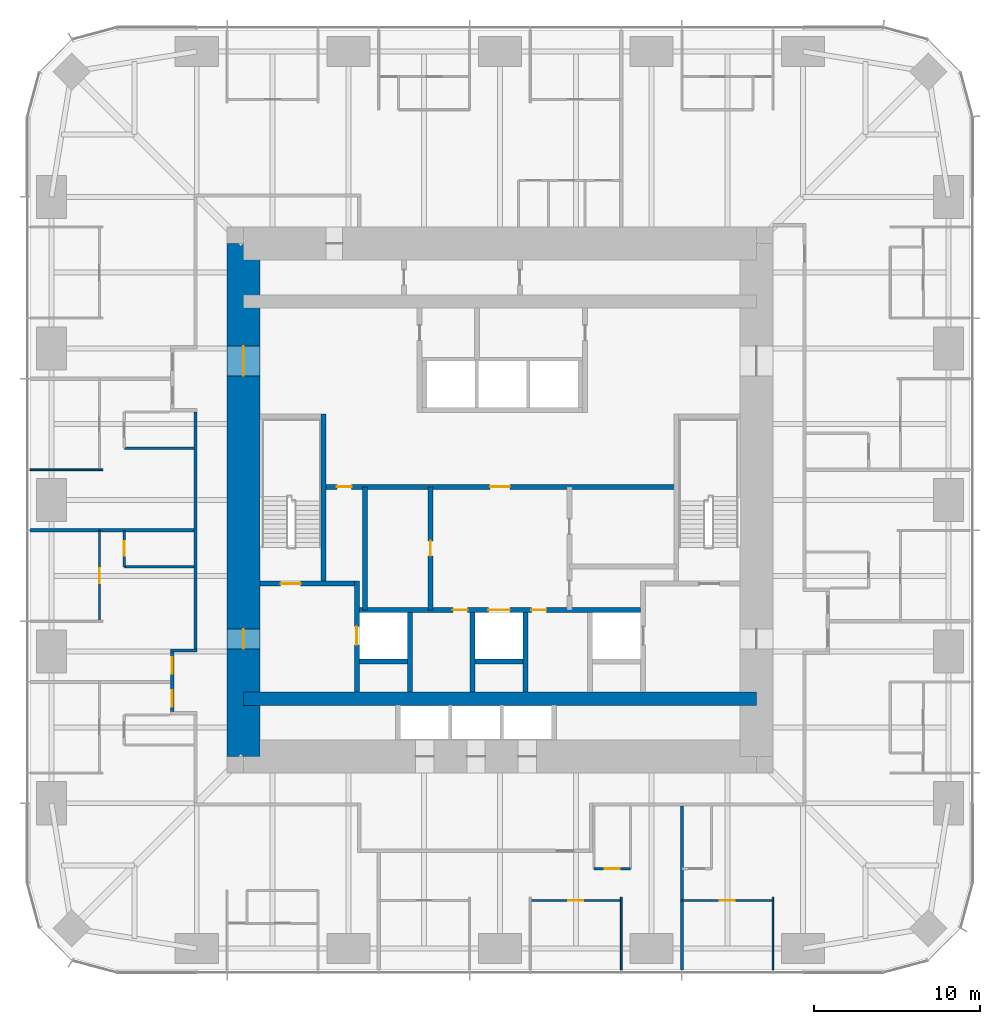
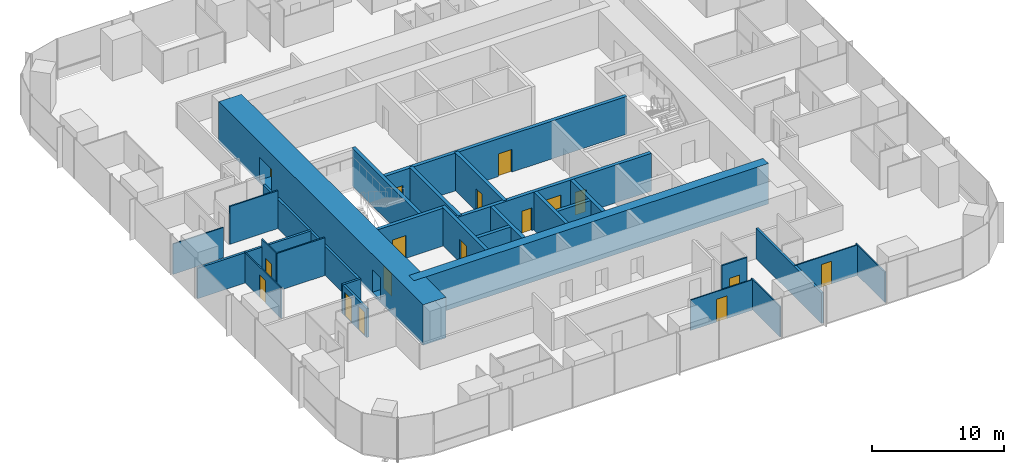
# One storey, part 9 of 13: 29 walls, 17 doors, 17 openings.
"""IFC4 building model written with IfcOpenShell, lengths in metres."""

from ifc_helpers import new_model, si_unit, direction, frame, frame_2d, origin, place, context, subcontext, project, spatial, rectangle, extrude, material, layer, layer_set, type_object, element, fill, save


model = new_model("IFC4")

# Units and contexts
model_context = context("Model", 3, precision=1e-05, world=origin(), true_north=direction((0.0, 1.0)))
body_context = subcontext(model_context, "Body", "Model", "MODEL_VIEW")
ifc_project = project(units=[si_unit("LENGTHUNIT", "METRE"), si_unit("AREAUNIT", "SQUARE_METRE"), si_unit("VOLUMEUNIT", "CUBIC_METRE"), si_unit("PLANEANGLEUNIT", "RADIAN"), si_unit("MASSUNIT", "GRAM", prefix="KILO")], contexts=[model_context])

# Site, building, storey
site_placement = place(None, origin())
site = spatial("IfcSite", under=ifc_project, at=site_placement, CompositionType="ELEMENT")
building_placement = place(site_placement, origin())
building = spatial("IfcBuilding", under=site, at=building_placement, Name="Khuree Lantern Residences", CompositionType="ELEMENT")
storey_placement = place(building_placement, frame((0.0, 0.0, 159.75)))
storey = spatial("IfcBuildingStorey", under=building, at=storey_placement, Name="L40", CompositionType="ELEMENT", Elevation=159.75)

# Wall
ifc_material_1 = material(Name="Moisture-resistant gypsum board on steel studs", Category="steel")
ifc_layer_1 = layer(ifc_material_1, 0.125)
ifc_layer_set_1 = layer_set([ifc_layer_1], Name="BATHROOM WALL BTW125")
wall_type_1 = type_object("IfcWallType", Name="BATHROOM WALL BTW125", PredefinedType="PARTITIONING", material=ifc_layer_set_1)
wall_1_placement = place(storey_placement, frame((-18.5, 3.1279296875, 0.0), z_axis=(0.0, 0.0, 1.0), x_axis=(-1.0, 0.0, 0.0)))
element("IfcWall", 1, at=wall_1_placement, inside=storey, type_object=wall_type_1, Name="L40 BATHROOM WALL 04", PredefinedType="PARTITIONING", context=body_context, shape_type="SweptSolid", body=[
    extrude(rectangle(XDim=4.199951171875, YDim=0.125, at=frame_2d((2.10009765625, 0.0))), origin(), (0.0, 0.0, 1.0), 3.5),
])

# Wall, opening, door
wall_2_placement = place(storey_placement, frame((-22.699951171875, -1.83203125, 0.0), z_axis=(0.0, 0.0, 1.0), x_axis=(0.0, -1.0, 0.0)))
wall_2 = element("IfcWall", 2, at=wall_2_placement, inside=storey, type_object=wall_type_1, Name="L40 BATHROOM WALL 05", PredefinedType="PARTITIONING", context=body_context, shape_type="SweptSolid", body=[
    extrude(rectangle(XDim=2.199951171875, YDim=0.125, at=frame_2d((1.10009765625, 0.0))), origin(), (0.0, 0.0, 1.0), 3.5),
])
opening_1_placement = place(wall_2_placement, frame((0.64990234375, 0.0, 0.0)))
opening_1 = element("IfcOpeningElement", 3, at=opening_1_placement, cuts=wall_2, Name="Opening 40-048", PredefinedType="OPENING", context=body_context, shape_type="SweptSolid", body=[
    extrude(rectangle(XDim=0.89990234375, YDim=2.10009765625, at=frame_2d((0.449951171875, 1.050048828125))), frame((0.0, 0.072509765625, 0.0), z_axis=(0.0, -1.0, 0.0), x_axis=(1.0, 0.0, 0.0)), (0.0, 0.0, 1.0), 0.14501953125),
])
ifc_material_2 = material(Name="Timber door leaf in hardwood frame", Category="wood")
door_type_1 = type_object("IfcDoorType", Name="BATHROOM DOOR 900X2100", OperationType="SINGLE_SWING_LEFT", PredefinedType="DOOR", material=ifc_material_2)
door_1_placement = place(opening_1_placement, origin())
door_1 = element("IfcDoor", 4, at=door_1_placement, inside=storey, type_object=door_type_1, Name="Bathroom door 40-048", OperationType="SINGLE_SWING_LEFT", OverallHeight=2.10009765625, OverallWidth=0.89990234375, PredefinedType="DOOR", context=body_context, shape_type="SweptSolid", body=[
    extrude(rectangle(XDim=0.89990234375, YDim=2.10009765625, at=frame_2d((0.449951171875, 1.050048828125))), frame((0.0, 0.02490234375, 0.0), z_axis=(0.0, -1.0, 0.0), x_axis=(1.0, 0.0, 0.0)), (0.0, 0.0, 1.0), 0.050048828125),
])
fill(opening_1, door_1)

# Wall
wall_3_placement = place(storey_placement, frame((-18.5, -4.031982421875, 0.0), z_axis=(0.0, 0.0, 1.0), x_axis=(-1.0, 0.0, 0.0)))
element("IfcWall", 5, at=wall_3_placement, inside=storey, type_object=wall_type_1, Name="L40 BATHROOM WALL 05", PredefinedType="PARTITIONING", context=body_context, shape_type="SweptSolid", body=[
    extrude(rectangle(XDim=4.199951171875, YDim=0.125, at=frame_2d((2.10009765625, 0.0))), origin(), (0.0, 0.0, 1.0), 3.5),
])

# Wall, opening, door
wall_4_placement = place(storey_placement, frame((5.68359375, -22.27978515625, 0.0), z_axis=(0.0, 0.0, 1.0), x_axis=(1.0, 0.0, 0.0)))
wall_4 = element("IfcWall", 6, at=wall_4_placement, inside=storey, type_object=wall_type_1, Name="L40 BATHROOM WALL 07", PredefinedType="PARTITIONING", context=body_context, shape_type="SweptSolid", body=[
    extrude(rectangle(XDim=2.199951171875, YDim=0.125, at=frame_2d((1.10009765625, 0.0))), origin(), (0.0, 0.0, 1.0), 3.5),
])
opening_2_placement = place(wall_4_placement, frame((0.64990234375, 0.0, 0.0)))
opening_2 = element("IfcOpeningElement", 7, at=opening_2_placement, cuts=wall_4, Name="Opening 40-057", PredefinedType="OPENING", context=body_context, shape_type="SweptSolid", body=[
    extrude(rectangle(XDim=0.89990234375, YDim=2.10009765625, at=frame_2d((0.449951171875, 1.050048828125))), frame((0.0, 0.072509765625, 0.0), z_axis=(0.0, -1.0, 0.0), x_axis=(1.0, 0.0, 0.0)), (0.0, 0.0, 1.0), 0.14501953125),
])
door_2_placement = place(opening_2_placement, origin())
door_2 = element("IfcDoor", 8, at=door_2_placement, inside=storey, type_object=door_type_1, Name="Bathroom door 40-057", OperationType="SINGLE_SWING_LEFT", OverallHeight=2.10009765625, OverallWidth=0.89990234375, PredefinedType="DOOR", context=body_context, shape_type="SweptSolid", body=[
    extrude(rectangle(XDim=0.89990234375, YDim=2.10009765625, at=frame_2d((0.449951171875, 1.050048828125))), frame((0.0, 0.02490234375, 0.0), z_axis=(0.0, -1.0, 0.0), x_axis=(1.0, 0.0, 0.0)), (0.0, 0.0, 1.0), 0.050048828125),
])
fill(opening_2, door_2)

ifc_material_3 = material(Name="Dense concrete blockwork", Category="masonry")
ifc_layer_2 = layer(ifc_material_3, 0.300048828125)
ifc_layer_set_2 = layer_set([ifc_layer_2], Name="CORE PARTITION WALL CPW300 EI 120")
wall_type_2 = type_object("IfcWallType", Name="CORE PARTITION WALL CPW300 EI 120", PredefinedType="PARTITIONING", material=ifc_layer_set_2)
wall_5_placement = place(storey_placement, frame((-8.64990234375, -11.60009765625, 0.0), z_axis=(0.0, 0.0, 1.0), x_axis=(0.0, 1.0, 0.0)))
wall_5 = element("IfcWall", 9, at=wall_5_placement, inside=storey, type_object=wall_type_2, Name="L40 CORE WALL FL1W", PredefinedType="PARTITIONING", context=body_context, shape_type="SweptSolid", body=[
    extrude(rectangle(XDim=6.7001953125, YDim=0.300048828125, at=frame_2d((3.35009765625, 0.0))), origin(), (0.0, 0.0, 1.0), 3.5),
])
opening_3_placement = place(wall_5_placement, frame((2.85009765625, 0.0, 0.0)))
opening_3 = element("IfcOpeningElement", 10, at=opening_3_placement, cuts=wall_5, Name="Opening 40-007", PredefinedType="OPENING", context=body_context, shape_type="SweptSolid", body=[
    extrude(rectangle(XDim=1.10009765625, YDim=2.10009765625, at=frame_2d((0.550048828125, 1.050048828125))), frame((0.0, 0.16015625, 0.0), z_axis=(0.0, -1.0, 0.0), x_axis=(1.0, 0.0, 0.0)), (0.0, 0.0, 1.0), 0.320068359375),
])
ifc_material_4 = material(Name="Stainless steel lift landing door", Category="steel")
door_type_2 = type_object("IfcDoorType", Name="LIFT LANDING DOOR 1100X2100 E 120", OperationType="DOUBLE_DOOR_SLIDING", PredefinedType="DOOR", material=ifc_material_4)
door_3_placement = place(opening_3_placement, origin())
door_3 = element("IfcDoor", 11, at=door_3_placement, inside=storey, type_object=door_type_2, Name="Landing door FL1 40-007", OperationType="DOUBLE_DOOR_SLIDING", OverallHeight=2.10009765625, OverallWidth=1.10009765625, PredefinedType="DOOR", context=body_context, shape_type="SweptSolid", body=[
    extrude(rectangle(XDim=1.10009765625, YDim=2.10009765625, at=frame_2d((0.550048828125, 1.050048828125))), frame((0.0, 0.02490234375, 0.0), z_axis=(0.0, -1.0, 0.0), x_axis=(1.0, 0.0, 0.0)), (0.0, 0.0, 1.0), 0.050048828125),
])
fill(opening_3, door_3)

# Wall, openings, doors
wall_6_placement = place(storey_placement, frame((-8.5, -6.64990234375, 0.0), z_axis=(0.0, 0.0, 1.0), x_axis=(1.0, 0.0, 0.0)))
wall_6 = element("IfcWall", 12, at=wall_6_placement, inside=storey, type_object=wall_type_2, Name="L40 CORE WALL FLROW", PredefinedType="PARTITIONING", context=body_context, shape_type="SweptSolid", body=[
    extrude(rectangle(XDim=17.0, YDim=0.300048828125, at=frame_2d((8.5, 0.0))), origin(), (0.0, 0.0, 1.0), 3.5),
])
opening_4_placement = place(wall_6_placement, frame((7.800048828125, 0.0, 0.0)))
opening_4 = element("IfcOpeningElement", 13, at=opening_4_placement, cuts=wall_6, Name="Opening 40-012", PredefinedType="OPENING", context=body_context, shape_type="SweptSolid", body=[
    extrude(rectangle(XDim=1.300048828125, YDim=2.39990234375, at=frame_2d((0.64990234375, 1.199951171875))), frame((0.0, 0.16015625, 0.0), z_axis=(0.0, -1.0, 0.0), x_axis=(1.0, 0.0, 0.0)), (0.0, 0.0, 1.0), 0.320068359375),
])
opening_5_placement = place(wall_6_placement, frame((5.64990234375, 0.0, 0.0)))
opening_5 = element("IfcOpeningElement", 14, at=opening_5_placement, cuts=wall_6, Name="Opening 40-014", PredefinedType="OPENING", context=body_context, shape_type="SweptSolid", body=[
    extrude(rectangle(XDim=0.89990234375, YDim=2.10009765625, at=frame_2d((0.449951171875, 1.050048828125))), frame((0.0, 0.16015625, 0.0), z_axis=(0.0, -1.0, 0.0), x_axis=(1.0, 0.0, 0.0)), (0.0, 0.0, 1.0), 0.320068359375),
])
opening_6_placement = place(wall_6_placement, frame((10.39990234375, 0.0, 0.0)))
opening_6 = element("IfcOpeningElement", 15, at=opening_6_placement, cuts=wall_6, Name="Opening 40-015", PredefinedType="OPENING", context=body_context, shape_type="SweptSolid", body=[
    extrude(rectangle(XDim=0.89990234375, YDim=2.10009765625, at=frame_2d((0.449951171875, 1.050048828125))), frame((0.0, 0.16015625, 0.0), z_axis=(0.0, -1.0, 0.0), x_axis=(1.0, 0.0, 0.0)), (0.0, 0.0, 1.0), 0.320068359375),
])
ifc_material_5 = material(Name="Steel door leaf in steel frame", Category="steel")
door_type_3 = type_object("IfcDoorType", Name="DOOR 900X2100 EI 60", OperationType="SINGLE_SWING_LEFT", PredefinedType="DOOR", material=ifc_material_5)
door_4_placement = place(opening_5_placement, origin())
door_4 = element("IfcDoor", 16, at=door_4_placement, inside=storey, type_object=door_type_3, Name="Refuse chute room door 40-014", OperationType="SINGLE_SWING_LEFT", OverallHeight=2.10009765625, OverallWidth=0.89990234375, PredefinedType="DOOR", context=body_context, shape_type="SweptSolid", body=[
    extrude(rectangle(XDim=0.89990234375, YDim=2.10009765625, at=frame_2d((0.449951171875, 1.050048828125))), frame((0.0, 0.02490234375, 0.0), z_axis=(0.0, -1.0, 0.0), x_axis=(1.0, 0.0, 0.0)), (0.0, 0.0, 1.0), 0.050048828125),
])
fill(opening_5, door_4)
door_type_4 = type_object("IfcDoorType", Name="DOOR 900X2100 EI 60 RIGHT HAND", OperationType="SINGLE_SWING_RIGHT", PredefinedType="DOOR", material=ifc_material_5)
door_5_placement = place(opening_6_placement, origin())
door_5 = element("IfcDoor", 17, at=door_5_placement, inside=storey, type_object=door_type_4, Name="Electrical and plumbing riser door 40-015", OperationType="SINGLE_SWING_RIGHT", OverallHeight=2.10009765625, OverallWidth=0.89990234375, PredefinedType="DOOR", context=body_context, shape_type="SweptSolid", body=[
    extrude(rectangle(XDim=0.89990234375, YDim=2.10009765625, at=frame_2d((0.449951171875, 1.050048828125))), frame((0.0, 0.02490234375, 0.0), z_axis=(0.0, -1.0, 0.0), x_axis=(1.0, 0.0, 0.0)), (0.0, 0.0, 1.0), 0.050048828125),
])
fill(opening_6, door_5)
door_type_5 = type_object("IfcDoorType", Name="LIFT LANDING DOOR 1300X2400 E 60", OperationType="DOUBLE_DOOR_SLIDING", PredefinedType="DOOR", material=ifc_material_4)
door_6_placement = place(opening_4_placement, origin())
door_6 = element("IfcDoor", 18, at=door_6_placement, inside=storey, type_object=door_type_5, Name="Landing door SL1 40-012", OperationType="DOUBLE_DOOR_SLIDING", OverallHeight=2.39990234375, OverallWidth=1.300048828125, PredefinedType="DOOR", context=body_context, shape_type="SweptSolid", body=[
    extrude(rectangle(XDim=1.300048828125, YDim=2.39990234375, at=frame_2d((0.64990234375, 1.199951171875))), frame((0.0, 0.02490234375, 0.0), z_axis=(0.0, -1.0, 0.0), x_axis=(1.0, 0.0, 0.0)), (0.0, 0.0, 1.0), 0.050048828125),
])
fill(opening_4, door_6)

# Walls
for number, where, z_axis, x_axis, name in (
    (19, (-5.449951171875, -11.60009765625, 0.0), (0.0, 0.0, 1.0), (0.0, 1.0, 0.0), "L40 CORE WALL FL1E"),
    (20, (-1.64990234375, -11.60009765625, 0.0), (0.0, 0.0, 1.0), (0.0, 1.0, 0.0), "L40 CORE WALL SL1W"),
    (21, (1.550048828125, -11.60009765625, 0.0), (0.0, 0.0, 1.0), (0.0, 1.0, 0.0), "L40 CORE WALL SL1E"),
):
    element("IfcWall", number, at=place(storey_placement, frame(where, z_axis=z_axis, x_axis=x_axis)), inside=storey, type_object=wall_type_2, Name=name, PredefinedType="PARTITIONING", context=body_context, shape_type="SweptSolid", body=[
        extrude(rectangle(XDim=4.800048828125, YDim=0.300048828125, at=frame_2d((2.39990234375, 0.0))), origin(), (0.0, 0.0, 1.0), 3.5),
    ])
for number, where, z_axis, x_axis, name in (
    (22, (-8.5, -9.75, 0.0), (0.0, 0.0, 1.0), (1.0, 0.0, 0.0), "L40 CORE WALL FL1S"),
    (23, (-1.5, -9.75, 0.0), (0.0, 0.0, 1.0), (1.0, 0.0, 0.0), "L40 CORE WALL SL1S"),
):
    element("IfcWall", number, at=place(storey_placement, frame(where, z_axis=z_axis, x_axis=x_axis)), inside=storey, type_object=wall_type_2, Name=name, PredefinedType="PARTITIONING", context=body_context, shape_type="SweptSolid", body=[
        extrude(rectangle(XDim=2.89990234375, YDim=0.300048828125, at=frame_2d((1.449951171875, 0.0))), origin(), (0.0, 0.0, 1.0), 3.5),
    ])

# Wall, openings, doors
wall_7_placement = place(storey_placement, frame((-10.64990234375, 0.800048828125, 0.0), z_axis=(0.0, 0.0, 1.0), x_axis=(1.0, 0.0, 0.0)))
wall_7 = element("IfcWall", 24, at=wall_7_placement, inside=storey, type_object=wall_type_2, Name="L40 CORE WALL LLS", PredefinedType="PARTITIONING", context=body_context, shape_type="SweptSolid", body=[
    extrude(rectangle(XDim=21.2998046875, YDim=0.300048828125, at=frame_2d((10.64990234375, 0.0))), origin(), (0.0, 0.0, 1.0), 3.5),
])
opening_7_placement = place(wall_7_placement, frame((10.050048828125, 0.0, 0.0)))
opening_7 = element("IfcOpeningElement", 25, at=opening_7_placement, cuts=wall_7, Name="Opening 40-013", PredefinedType="OPENING", context=body_context, shape_type="SweptSolid", body=[
    extrude(rectangle(XDim=1.199951171875, YDim=2.10009765625, at=frame_2d((0.60009765625, 1.050048828125))), frame((0.0, 0.16015625, 0.0), z_axis=(0.0, -1.0, 0.0), x_axis=(1.0, 0.0, 0.0)), (0.0, 0.0, 1.0), 0.320068359375),
])
opening_8_placement = place(wall_7_placement, frame((0.79296875, 0.0, 0.0)))
opening_8 = element("IfcOpeningElement", 26, at=opening_8_placement, cuts=wall_7, Name="Opening 40-017", PredefinedType="OPENING", context=body_context, shape_type="SweptSolid", body=[
    extrude(rectangle(XDim=0.89990234375, YDim=2.10009765625, at=frame_2d((0.449951171875, 1.050048828125))), frame((0.0, 0.16015625, 0.0), z_axis=(0.0, -1.0, 0.0), x_axis=(1.0, 0.0, 0.0)), (0.0, 0.0, 1.0), 0.320068359375),
])
door_type_6 = type_object("IfcDoorType", Name="DOOR 1200X2100 EI 60", OperationType="SINGLE_SWING_LEFT", PredefinedType="DOOR", material=ifc_material_5)
door_7_placement = place(opening_7_placement, origin())
door_7 = element("IfcDoor", 27, at=door_7_placement, inside=storey, type_object=door_type_6, Name="Service lift lobby door 40-013", OperationType="SINGLE_SWING_LEFT", OverallHeight=2.10009765625, OverallWidth=1.199951171875, PredefinedType="DOOR", context=body_context, shape_type="SweptSolid", body=[
    extrude(rectangle(XDim=1.199951171875, YDim=2.10009765625, at=frame_2d((0.60009765625, 1.050048828125))), frame((0.0, 0.02490234375, 0.0), z_axis=(0.0, -1.0, 0.0), x_axis=(1.0, 0.0, 0.0)), (0.0, 0.0, 1.0), 0.050048828125),
])
fill(opening_7, door_7)
door_type_7 = type_object("IfcDoorType", Name="DOOR 900X2100", OperationType="SINGLE_SWING_LEFT", PredefinedType="DOOR", material=ifc_material_2)
door_8_placement = place(opening_8_placement, origin())
door_8 = element("IfcDoor", 28, at=door_8_placement, inside=storey, type_object=door_type_7, Name="Refuse holding room door 40-017", OperationType="SINGLE_SWING_LEFT", OverallHeight=2.10009765625, OverallWidth=0.89990234375, PredefinedType="DOOR", context=body_context, shape_type="SweptSolid", body=[
    extrude(rectangle(XDim=0.89990234375, YDim=2.10009765625, at=frame_2d((0.449951171875, 1.050048828125))), frame((0.0, 0.02490234375, 0.0), z_axis=(0.0, -1.0, 0.0), x_axis=(1.0, 0.0, 0.0)), (0.0, 0.0, 1.0), 0.050048828125),
])
fill(opening_8, door_8)

# Wall, opening, door
wall_8_placement = place(storey_placement, frame((-4.199951171875, -6.64990234375, 0.0), z_axis=(0.0, 0.0, 1.0), x_axis=(0.0, 1.0, 0.0)))
wall_8 = element("IfcWall", 29, at=wall_8_placement, inside=storey, type_object=wall_type_2, Name="L40 CORE WALL SVW", PredefinedType="PARTITIONING", context=body_context, shape_type="SweptSolid", body=[
    extrude(rectangle(XDim=7.449951171875, YDim=0.300048828125, at=frame_2d((3.72509765625, 0.0))), origin(), (0.0, 0.0, 1.0), 3.5),
])
opening_9_placement = place(wall_8_placement, frame((3.27490234375, 0.0, 0.0)))
opening_9 = element("IfcOpeningElement", 30, at=opening_9_placement, cuts=wall_8, Name="Opening 40-016", PredefinedType="OPENING", context=body_context, shape_type="SweptSolid", body=[
    extrude(rectangle(XDim=0.89990234375, YDim=2.10009765625, at=frame_2d((0.449951171875, 1.050048828125))), frame((0.0, 0.16015625, 0.0), z_axis=(0.0, -1.0, 0.0), x_axis=(1.0, 0.0, 0.0)), (0.0, 0.0, 1.0), 0.320068359375),
])
door_9_placement = place(opening_9_placement, origin())
door_9 = element("IfcDoor", 31, at=door_9_placement, inside=storey, type_object=door_type_7, Name="Residents' store door 40-016", OperationType="SINGLE_SWING_LEFT", OverallHeight=2.10009765625, OverallWidth=0.89990234375, PredefinedType="DOOR", context=body_context, shape_type="SweptSolid", body=[
    extrude(rectangle(XDim=0.89990234375, YDim=2.10009765625, at=frame_2d((0.449951171875, 1.050048828125))), frame((0.0, 0.02490234375, 0.0), z_axis=(0.0, -1.0, 0.0), x_axis=(1.0, 0.0, 0.0)), (0.0, 0.0, 1.0), 0.050048828125),
])
fill(opening_9, door_9)

# Walls
wall_9_placement = place(storey_placement, frame((-8.1630859375, -6.64990234375, 0.0), z_axis=(0.0, 0.0, 1.0), x_axis=(0.0, 1.0, 0.0)))
element("IfcWall", 32, at=wall_9_placement, inside=storey, type_object=wall_type_2, Name="L40 CORE WALL WV", PredefinedType="PARTITIONING", context=body_context, shape_type="SweptSolid", body=[
    extrude(rectangle(XDim=7.449951171875, YDim=0.300048828125, at=frame_2d((3.72509765625, 0.0))), origin(), (0.0, 0.0, 1.0), 3.5),
])
ifc_material_6 = material(Name="Gypsum board on steel studs", Category="steel")
ifc_layer_3 = layer(ifc_material_6, 0.199951171875)
ifc_layer_set_3 = layer_set([ifc_layer_3], Name="CORRIDOR WALL CRW200 EI 60")
wall_type_3 = type_object("IfcWallType", Name="CORRIDOR WALL CRW200 EI 60", PredefinedType="PARTITIONING", material=ifc_layer_set_3)
wall_10_placement = place(storey_placement, frame((-18.39990234375, 5.327880859375, 0.0), z_axis=(0.0, 0.0, 1.0), x_axis=(0.0, -1.0, 0.0)))
element("IfcWall", 33, at=wall_10_placement, inside=storey, type_object=wall_type_3, Name="L40 CORRIDOR WALL WEST 2", PredefinedType="PARTITIONING", context=body_context, shape_type="SweptSolid", body=[
    extrude(rectangle(XDim=14.31982421875, YDim=0.199951171875, at=frame_2d((7.159912109375, 0.0))), origin(), (0.0, 0.0, 1.0), 2.699951171875),
])
wall_11_placement = place(storey_placement, frame((-18.300048828125, -9.092041015625, 0.0), z_axis=(0.0, 0.0, 1.0), x_axis=(-1.0, 0.0, 0.0)))
element("IfcWall", 34, at=wall_11_placement, inside=storey, type_object=wall_type_3, Name="L40 CORRIDOR ALCOVE WALL WEST", PredefinedType="PARTITIONING", context=body_context, shape_type="SweptSolid", body=[
    extrude(rectangle(XDim=1.599853515625, YDim=0.199951171875, at=frame_2d((0.7998046875, 0.0))), origin(), (0.0, 0.0, 1.0), 2.699951171875),
])

# Wall, openings, doors
wall_12_placement = place(storey_placement, frame((-19.800048828125, -9.19189453125, 0.0), z_axis=(0.0, 0.0, 1.0), x_axis=(0.0, -1.0, 0.0)))
wall_12 = element("IfcWall", 35, at=wall_12_placement, inside=storey, type_object=wall_type_3, Name="L40 CORRIDOR ALCOVE WALL WEST", PredefinedType="PARTITIONING", context=body_context, shape_type="SweptSolid", body=[
    extrude(rectangle(XDim=3.60009765625, YDim=0.199951171875, at=frame_2d((1.800048828125, 0.0))), origin(), (0.0, 0.0, 1.0), 2.699951171875),
])
opening_10_placement = place(wall_12_placement, frame((0.300048828125, 0.0, 0.0)))
opening_10 = element("IfcOpeningElement", 36, at=opening_10_placement, cuts=wall_12, Name="Opening 40-049", PredefinedType="OPENING", context=body_context, shape_type="SweptSolid", body=[
    extrude(rectangle(XDim=1.0, YDim=2.199951171875, at=frame_2d((0.5, 1.10009765625))), frame((0.0, 0.10986328125, 0.0), z_axis=(0.0, -1.0, 0.0), x_axis=(1.0, 0.0, 0.0)), (0.0, 0.0, 1.0), 0.219970703125),
])
opening_11_placement = place(wall_12_placement, frame((2.300048828125, 0.0, 0.0)))
opening_11 = element("IfcOpeningElement", 37, at=opening_11_placement, cuts=wall_12, Name="Opening 40-054", PredefinedType="OPENING", context=body_context, shape_type="SweptSolid", body=[
    extrude(rectangle(XDim=1.0, YDim=2.199951171875, at=frame_2d((0.5, 1.10009765625))), frame((0.0, 0.10986328125, 0.0), z_axis=(0.0, -1.0, 0.0), x_axis=(1.0, 0.0, 0.0)), (0.0, 0.0, 1.0), 0.219970703125),
])
door_type_8 = type_object("IfcDoorType", Name="APARTMENT ENTRANCE DOOR 1000X2200 EI 30S", OperationType="SINGLE_SWING_LEFT", PredefinedType="DOOR", material=ifc_material_2)
door_10_placement = place(opening_10_placement, origin())
door_10 = element("IfcDoor", 38, at=door_10_placement, inside=storey, type_object=door_type_8, Name="Apartment 05 entrance door 40-049", OperationType="SINGLE_SWING_LEFT", OverallHeight=2.199951171875, OverallWidth=1.0, PredefinedType="DOOR", context=body_context, shape_type="SweptSolid", body=[
    extrude(rectangle(XDim=1.0, YDim=2.199951171875, at=frame_2d((0.5, 1.10009765625))), frame((0.0, 0.02490234375, 0.0), z_axis=(0.0, -1.0, 0.0), x_axis=(1.0, 0.0, 0.0)), (0.0, 0.0, 1.0), 0.050048828125),
])
fill(opening_10, door_10)
door_type_9 = type_object("IfcDoorType", Name="APARTMENT ENTRANCE DOOR 1000X2200 EI 30S RIGHT HAND", OperationType="SINGLE_SWING_RIGHT", PredefinedType="DOOR", material=ifc_material_2)
door_11_placement = place(opening_11_placement, origin())
door_11 = element("IfcDoor", 39, at=door_11_placement, inside=storey, type_object=door_type_9, Name="Apartment 06 entrance door 40-054", OperationType="SINGLE_SWING_RIGHT", OverallHeight=2.199951171875, OverallWidth=1.0, PredefinedType="DOOR", context=body_context, shape_type="SweptSolid", body=[
    extrude(rectangle(XDim=1.0, YDim=2.199951171875, at=frame_2d((0.5, 1.10009765625))), frame((0.0, 0.02490234375, 0.0), z_axis=(0.0, -1.0, 0.0), x_axis=(1.0, 0.0, 0.0)), (0.0, 0.0, 1.0), 0.050048828125),
])
fill(opening_11, door_11)

ifc_material_7 = material(Name="Concrete C70/85", Category="concrete")
ifc_layer_4 = layer(ifc_material_7, 2.0)
ifc_layer_set_4 = layer_set([ifc_layer_4], Name="CW2000-C70 CORE WALL C70 2000")
wall_type_4 = type_object("IfcWallType", Name="CW2000-C70 CORE WALL C70 2000", PredefinedType="SHEAR", material=ifc_layer_set_4)
wall_13_placement = place(storey_placement, frame((-15.5, -15.5, -0.25), z_axis=(0.0, 0.0, 1.0), x_axis=(0.0, 1.0, 0.0)))
wall_13 = element("IfcWall", 40, at=wall_13_placement, inside=storey, type_object=wall_type_4, Name="Core wall W", PredefinedType="SHEAR", context=body_context, shape_type="SweptSolid", body=[
    extrude(rectangle(XDim=31.0, YDim=2.0, at=frame_2d((15.5, 0.0))), origin(), (0.0, 0.0, 1.0), 3.75),
])
opening_12_placement = place(wall_13_placement, frame((6.5, 0.0, 0.25)))
opening_12 = element("IfcOpeningElement", 41, at=opening_12_placement, cuts=wall_13, Name="Opening 40-002", PredefinedType="OPENING", context=body_context, shape_type="SweptSolid", body=[
    extrude(rectangle(XDim=1.199951171875, YDim=2.10009765625, at=frame_2d((0.60009765625, 1.050048828125))), frame((0.0, 1.010009765625, 0.0), z_axis=(0.0, -1.0, 0.0), x_axis=(1.0, 0.0, 0.0)), (0.0, 0.0, 1.0), 2.02001953125),
])
opening_13_placement = place(wall_13_placement, frame((23.0, 0.0, 0.25)))
opening_13 = element("IfcOpeningElement", 42, at=opening_13_placement, cuts=wall_13, Name="Opening 40-003", PredefinedType="OPENING", context=body_context, shape_type="SweptSolid", body=[
    extrude(rectangle(XDim=1.800048828125, YDim=2.10009765625, at=frame_2d((0.89990234375, 1.050048828125))), frame((0.0, 1.010009765625, 0.0), z_axis=(0.0, -1.0, 0.0), x_axis=(1.0, 0.0, 0.0)), (0.0, 0.0, 1.0), 2.02001953125),
])
door_type_10 = type_object("IfcDoorType", Name="LOBBY DOOR 1200X2100 EI 120", OperationType="SINGLE_SWING_LEFT", PredefinedType="DOOR", material=ifc_material_5)
door_12_placement = place(opening_12_placement, origin())
door_12 = element("IfcDoor", 43, at=door_12_placement, inside=storey, type_object=door_type_10, Name="Firefighting lobby door 40-002", OperationType="SINGLE_SWING_LEFT", OverallHeight=2.10009765625, OverallWidth=1.199951171875, PredefinedType="DOOR", context=body_context, shape_type="SweptSolid", body=[
    extrude(rectangle(XDim=1.199951171875, YDim=2.10009765625, at=frame_2d((0.60009765625, 1.050048828125))), frame((0.0, 0.02490234375, 0.0), z_axis=(0.0, -1.0, 0.0), x_axis=(1.0, 0.0, 0.0)), (0.0, 0.0, 1.0), 0.050048828125),
])
fill(opening_12, door_12)
door_type_11 = type_object("IfcDoorType", Name="LOBBY DOUBLE DOOR 1800X2100 EI 60", OperationType="DOUBLE_DOOR_SINGLE_SWING", PredefinedType="DOOR", material=ifc_material_5)
door_13_placement = place(opening_13_placement, origin())
door_13 = element("IfcDoor", 44, at=door_13_placement, inside=storey, type_object=door_type_11, Name="Lift lobby door 40-003", OperationType="DOUBLE_DOOR_SINGLE_SWING", OverallHeight=2.10009765625, OverallWidth=1.800048828125, PredefinedType="DOOR", context=body_context, shape_type="SweptSolid", body=[
    extrude(rectangle(XDim=1.800048828125, YDim=2.10009765625, at=frame_2d((0.89990234375, 1.050048828125))), frame((0.0, 0.02490234375, 0.0), z_axis=(0.0, -1.0, 0.0), x_axis=(1.0, 0.0, 0.0)), (0.0, 0.0, 1.0), 0.050048828125),
])
fill(opening_13, door_13)

# Walls
ifc_layer_5 = layer(ifc_material_6, 0.199951171875)
ifc_layer_set_5 = layer_set([ifc_layer_5], Name="DEMISING WALL DMW200 EI 90")
wall_type_5 = type_object("IfcWallType", Name="DEMISING WALL DMW200 EI 90", PredefinedType="PARTITIONING", material=ifc_layer_set_5)
for number, where, z_axis, x_axis, name in (
    (45, (-18.5, -1.83203125, 0.0), (0.0, 0.0, 1.0), (-1.0, 0.0, 0.0), "L40 DEMISING WALL 05"),
    (46, (10.991943359375, -18.5, 0.0), (0.0, 0.0, 1.0), (0.0, -1.0, 0.0), "L40 DEMISING WALL 08"),
):
    element("IfcWall", number, at=place(storey_placement, frame(where, z_axis=z_axis, x_axis=x_axis)), inside=storey, type_object=wall_type_5, Name=name, PredefinedType="PARTITIONING", context=body_context, shape_type="SweptSolid", body=[
        extrude(rectangle(XDim=9.89990234375, YDim=0.199951171875, at=frame_2d((4.949951171875, 0.0))), origin(), (0.0, 0.0, 1.0), 2.81005859375),
    ])
ifc_layer_6 = layer(ifc_material_6, 0.10009765625)
ifc_layer_set_6 = layer_set([ifc_layer_6], Name="PARTITION PT100")
wall_type_6 = type_object("IfcWallType", Name="PARTITION PT100", PredefinedType="PARTITIONING", material=ifc_layer_set_6)
for number, where, z_axis, x_axis, name in (
    (47, (-24.0, 1.83203125, 0.0), (0.0, 0.0, 1.0), (-1.0, 0.0, 0.0), "L40 PARTITION 04"),
    (48, (7.327880859375, -24.0, 0.0), (0.0, 0.0, 1.0), (0.0, -1.0, 0.0), "L40 PARTITION 07"),
    (49, (16.488037109375, -24.0, 0.0), (0.0, 0.0, 1.0), (0.0, -1.0, 0.0), "L40 PARTITION 08"),
):
    element("IfcWall", number, at=place(storey_placement, frame(where, z_axis=z_axis, x_axis=x_axis)), inside=storey, type_object=wall_type_6, Name=name, PredefinedType="PARTITIONING", context=body_context, shape_type="SweptSolid", body=[
        extrude(rectangle(XDim=4.39990234375, YDim=0.10009765625, at=frame_2d((2.199951171875, 0.0))), origin(), (0.0, 0.0, 1.0), 2.81005859375),
    ])

# Wall, opening, door
wall_14_placement = place(storey_placement, frame((-24.199951171875, -1.83203125, 0.0), z_axis=(0.0, 0.0, 1.0), x_axis=(0.0, -1.0, 0.0)))
wall_14 = element("IfcWall", 50, at=wall_14_placement, inside=storey, type_object=wall_type_6, Name="L40 PARTITION 05", PredefinedType="PARTITIONING", context=body_context, shape_type="SweptSolid", body=[
    extrude(rectangle(XDim=5.495849609375, YDim=0.10009765625, at=frame_2d((2.748046875, 0.0))), origin(), (0.0, 0.0, 1.0), 2.81005859375),
])
opening_14_placement = place(wall_14_placement, frame((2.298095703125, 0.0, 0.0)))
opening_14 = element("IfcOpeningElement", 51, at=opening_14_placement, cuts=wall_14, Name="Opening 40-047", PredefinedType="OPENING", context=body_context, shape_type="SweptSolid", body=[
    extrude(rectangle(XDim=0.89990234375, YDim=2.10009765625, at=frame_2d((0.449951171875, 1.050048828125))), frame((0.0, 0.06005859375, 0.0), z_axis=(0.0, -1.0, 0.0), x_axis=(1.0, 0.0, 0.0)), (0.0, 0.0, 1.0), 0.1201171875),
])
door_type_12 = type_object("IfcDoorType", Name="BEDROOM DOOR 900X2100", OperationType="SINGLE_SWING_LEFT", PredefinedType="DOOR", material=ifc_material_2)
door_14_placement = place(opening_14_placement, origin())
door_14 = element("IfcDoor", 52, at=door_14_placement, inside=storey, type_object=door_type_12, Name="Bedroom door 40-047", OperationType="SINGLE_SWING_LEFT", OverallHeight=2.10009765625, OverallWidth=0.89990234375, PredefinedType="DOOR", context=body_context, shape_type="SweptSolid", body=[
    extrude(rectangle(XDim=0.89990234375, YDim=2.10009765625, at=frame_2d((0.449951171875, 1.050048828125))), frame((0.0, 0.02490234375, 0.0), z_axis=(0.0, -1.0, 0.0), x_axis=(1.0, 0.0, 0.0)), (0.0, 0.0, 1.0), 0.050048828125),
])
fill(opening_14, door_14)

wall_15_placement = place(storey_placement, frame((1.83203125, -24.199951171875, 0.0), z_axis=(0.0, 0.0, 1.0), x_axis=(1.0, 0.0, 0.0)))
wall_15 = element("IfcWall", 53, at=wall_15_placement, inside=storey, type_object=wall_type_6, Name="L40 PARTITION 07", PredefinedType="PARTITIONING", context=body_context, shape_type="SweptSolid", body=[
    extrude(rectangle(XDim=5.495849609375, YDim=0.10009765625, at=frame_2d((2.748046875, 0.0))), origin(), (0.0, 0.0, 1.0), 2.81005859375),
])
opening_15_placement = place(wall_15_placement, frame((2.298095703125, 0.0, 0.0)))
opening_15 = element("IfcOpeningElement", 54, at=opening_15_placement, cuts=wall_15, Name="Opening 40-056", PredefinedType="OPENING", context=body_context, shape_type="SweptSolid", body=[
    extrude(rectangle(XDim=0.89990234375, YDim=2.10009765625, at=frame_2d((0.449951171875, 1.050048828125))), frame((0.0, 0.06005859375, 0.0), z_axis=(0.0, -1.0, 0.0), x_axis=(1.0, 0.0, 0.0)), (0.0, 0.0, 1.0), 0.1201171875),
])
door_15_placement = place(opening_15_placement, origin())
door_15 = element("IfcDoor", 55, at=door_15_placement, inside=storey, type_object=door_type_12, Name="Bedroom door 40-056", OperationType="SINGLE_SWING_LEFT", OverallHeight=2.10009765625, OverallWidth=0.89990234375, PredefinedType="DOOR", context=body_context, shape_type="SweptSolid", body=[
    extrude(rectangle(XDim=0.89990234375, YDim=2.10009765625, at=frame_2d((0.449951171875, 1.050048828125))), frame((0.0, 0.02490234375, 0.0), z_axis=(0.0, -1.0, 0.0), x_axis=(1.0, 0.0, 0.0)), (0.0, 0.0, 1.0), 0.050048828125),
])
fill(opening_15, door_15)

wall_16_placement = place(storey_placement, frame((10.991943359375, -24.199951171875, 0.0), z_axis=(0.0, 0.0, 1.0), x_axis=(1.0, 0.0, 0.0)))
wall_16 = element("IfcWall", 56, at=wall_16_placement, inside=storey, type_object=wall_type_6, Name="L40 PARTITION 08", PredefinedType="PARTITIONING", context=body_context, shape_type="SweptSolid", body=[
    extrude(rectangle(XDim=5.49609375, YDim=0.10009765625, at=frame_2d((2.748046875, 0.0))), origin(), (0.0, 0.0, 1.0), 2.81005859375),
])
opening_16_placement = place(wall_16_placement, frame((2.298095703125, 0.0, 0.0)))
opening_16 = element("IfcOpeningElement", 57, at=opening_16_placement, cuts=wall_16, Name="Opening 40-059", PredefinedType="OPENING", context=body_context, shape_type="SweptSolid", body=[
    extrude(rectangle(XDim=0.89990234375, YDim=2.10009765625, at=frame_2d((0.449951171875, 1.050048828125))), frame((0.0, 0.06005859375, 0.0), z_axis=(0.0, -1.0, 0.0), x_axis=(1.0, 0.0, 0.0)), (0.0, 0.0, 1.0), 0.1201171875),
])
door_16_placement = place(opening_16_placement, origin())
door_16 = element("IfcDoor", 58, at=door_16_placement, inside=storey, type_object=door_type_12, Name="Bedroom door 40-059", OperationType="SINGLE_SWING_LEFT", OverallHeight=2.10009765625, OverallWidth=0.89990234375, PredefinedType="DOOR", context=body_context, shape_type="SweptSolid", body=[
    extrude(rectangle(XDim=0.89990234375, YDim=2.10009765625, at=frame_2d((0.449951171875, 1.050048828125))), frame((0.0, 0.02490234375, 0.0), z_axis=(0.0, -1.0, 0.0), x_axis=(1.0, 0.0, 0.0)), (0.0, 0.0, 1.0), 0.050048828125),
])
fill(opening_16, door_16)

# Walls
ifc_layer_7 = layer(ifc_material_7, 0.800048828125)
ifc_layer_set_7 = layer_set([ifc_layer_7], Name="SP800-C70 CORE SPINE WALL C70 800")
wall_type_7 = type_object("IfcWallType", Name="SP800-C70 CORE SPINE WALL C70 800", PredefinedType="SHEAR", material=ifc_layer_set_7)
wall_17_placement = place(storey_placement, frame((-15.5, -12.0, -0.25), z_axis=(0.0, 0.0, 1.0), x_axis=(1.0, 0.0, 0.0)))
element("IfcWall", 59, at=wall_17_placement, inside=storey, type_object=wall_type_7, Name="Core wall SPS", PredefinedType="SHEAR", context=body_context, shape_type="SweptSolid", body=[
    extrude(rectangle(XDim=31.0, YDim=0.800048828125, at=frame_2d((15.5, 0.0))), origin(), (0.0, 0.0, 1.0), 3.75),
])
ifc_material_8 = material(Name="Concrete C50/60", Category="concrete")
ifc_layer_8 = layer(ifc_material_8, 0.300048828125)
ifc_layer_set_8 = layer_set([ifc_layer_8], Name="STAIR WALL SRW300 C50/60 REI 240")
wall_type_8 = type_object("IfcWallType", Name="STAIR WALL SRW300 C50/60 REI 240", PredefinedType="SOLIDWALL", material=ifc_layer_set_8)
wall_18_placement = place(storey_placement, frame((-10.64990234375, -4.89990234375, 0.0), z_axis=(0.0, 0.0, 1.0), x_axis=(0.0, 1.0, 0.0)))
element("IfcWall", 60, at=wall_18_placement, inside=storey, type_object=wall_type_8, Name="L40 STAIR WALL ST1E", PredefinedType="SOLIDWALL", context=body_context, shape_type="SweptSolid", body=[
    extrude(rectangle(XDim=10.099853515625, YDim=0.300048828125, at=frame_2d((5.0498046875, 0.0))), origin(), (0.0, 0.0, 1.0), 3.5),
])

# Wall, opening, door
wall_19_placement = place(storey_placement, frame((-14.5, -5.050048828125, 0.0), z_axis=(0.0, 0.0, 1.0), x_axis=(1.0, 0.0, 0.0)))
wall_19 = element("IfcWall", 61, at=wall_19_placement, inside=storey, type_object=wall_type_8, Name="L40 STAIR WALL ST1S", PredefinedType="SOLIDWALL", context=body_context, shape_type="SweptSolid", body=[
    extrude(rectangle(XDim=5.699951171875, YDim=0.300048828125, at=frame_2d((2.85009765625, 0.0))), origin(), (0.0, 0.0, 1.0), 3.5),
])
opening_17_placement = place(wall_19_placement, frame((1.25, 0.0, 0.0)))
opening_17 = element("IfcOpeningElement", 62, at=opening_17_placement, cuts=wall_19, Name="Opening 40-001", PredefinedType="OPENING", context=body_context, shape_type="SweptSolid", body=[
    extrude(rectangle(XDim=1.199951171875, YDim=2.10009765625, at=frame_2d((0.60009765625, 1.050048828125))), frame((0.0, 0.16015625, 0.0), z_axis=(0.0, -1.0, 0.0), x_axis=(1.0, 0.0, 0.0)), (0.0, 0.0, 1.0), 0.320068359375),
])
door_type_13 = type_object("IfcDoorType", Name="STAIR DOOR 1200X2100 EI 120", OperationType="SINGLE_SWING_LEFT", PredefinedType="DOOR", material=ifc_material_5)
door_17_placement = place(opening_17_placement, origin())
door_17 = element("IfcDoor", 63, at=door_17_placement, inside=storey, type_object=door_type_13, Name="Stair ST1 door 40-001", OperationType="SINGLE_SWING_LEFT", OverallHeight=2.10009765625, OverallWidth=1.199951171875, PredefinedType="DOOR", context=body_context, shape_type="SweptSolid", body=[
    extrude(rectangle(XDim=1.199951171875, YDim=2.10009765625, at=frame_2d((0.60009765625, 1.050048828125))), frame((0.0, 0.02490234375, 0.0), z_axis=(0.0, -1.0, 0.0), x_axis=(1.0, 0.0, 0.0)), (0.0, 0.0, 1.0), 0.050048828125),
])
fill(opening_17, door_17)

save(model, "model.ifc")
